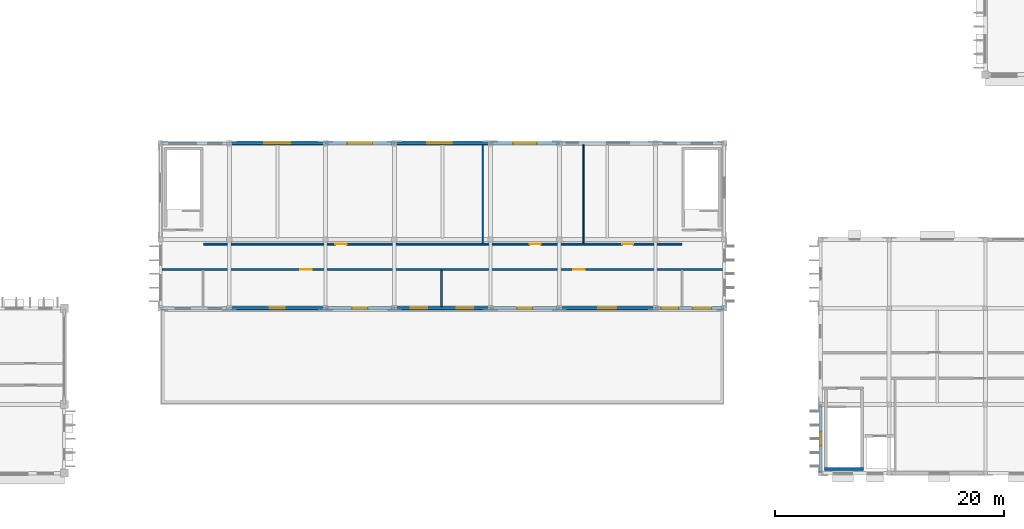
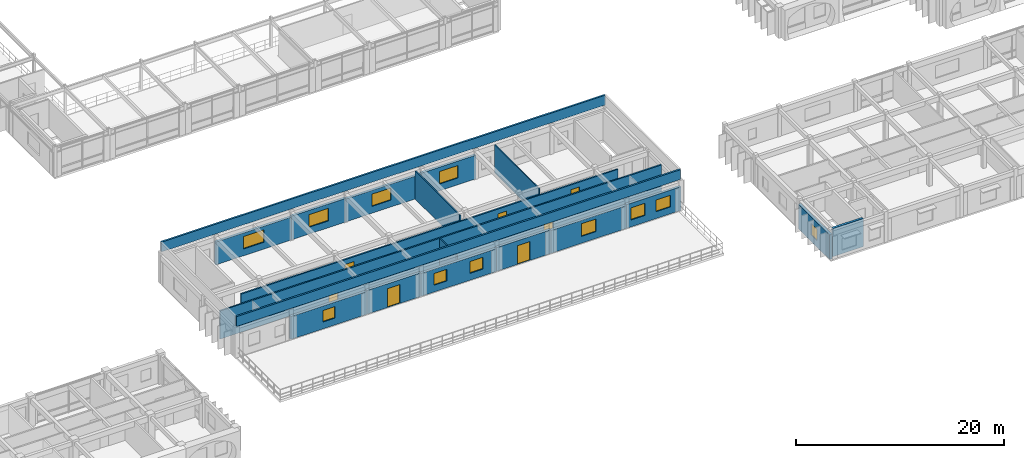
# One storey, part 51 of 88: 19 walls, 11 windows, 7 doors, 18 openings.
"""IFC4 building model written with IfcOpenShell, lengths in metres."""

from ifc_helpers import new_model, si_unit, direction, frame, frame_2d, origin, place, context, subcontext, project, spatial, rectangle, extrude, material, layer, layer_set, type_object, element, fill, save


model = new_model("IFC4")

# Units and contexts
model_context = context("Model", 3, precision=1e-05, world=origin(), true_north=direction((0.0, 1.0)))
body_context = subcontext(model_context, "Body", "Model", "MODEL_VIEW")
ifc_project = project(units=[si_unit("LENGTHUNIT", "METRE"), si_unit("AREAUNIT", "SQUARE_METRE"), si_unit("VOLUMEUNIT", "CUBIC_METRE"), si_unit("PLANEANGLEUNIT", "RADIAN"), si_unit("MASSUNIT", "GRAM", prefix="KILO"), si_unit("THERMODYNAMICTEMPERATUREUNIT", "KELVIN")], contexts=[model_context])

# Site, building, storey
site_placement = place(None, origin())
site = spatial("IfcSite", under=ifc_project, at=site_placement, CompositionType="ELEMENT")
building_placement = place(site_placement, origin())
building = spatial("IfcBuilding", under=site, at=building_placement, Name="Thalorik Housing Commons", CompositionType="ELEMENT")
storey_placement = place(building_placement, frame((0.0, 0.0, 4.5)))
storey = spatial("IfcBuildingStorey", under=building, at=storey_placement, Name="L01", CompositionType="ELEMENT", Elevation=4.5)

# Wall
ifc_material_1 = material(Name="Concrete C40/50", Category="concrete")
ifc_layer_1 = layer(ifc_material_1, 0.25, Name="Concrete C40/50", Category="concrete")
ifc_layer_set_1 = layer_set([ifc_layer_1], Name="Concrete C40/50")
wall_type_1 = type_object("IfcWallType", Name="ARC-WAL-CORE-250", PredefinedType="SHEAR", material=ifc_layer_set_1)
wall_1_placement = place(storey_placement, frame((123.949951171875, 8.77490234375, 0.0), z_axis=(0.0, 0.0, 1.0), x_axis=(1.0, 0.0, 0.0)))
element("IfcWall", 1, at=wall_1_placement, inside=storey, type_object=wall_type_1, Name="L01 Stair ST-N1 Structural Support Wall F", PredefinedType="SHEAR", context=body_context, shape_type="SweptSolid", body=[
    extrude(rectangle(XDim=3.400146484375, YDim=0.25, at=frame_2d((1.7001953125, 0.0))), origin(), (0.0, 0.0, 1.0), 3.300048828125),
])

# Wall, openings, doors
ifc_material_2 = material(Name="Masonry fire-rated corridor wall", Category="masonry")
ifc_layer_2 = layer(ifc_material_2, 0.1650390625, Name="Masonry fire-rated corridor wall", Category="masonry")
ifc_layer_set_2 = layer_set([ifc_layer_2], Name="Masonry fire-rated corridor wall")
wall_type_2 = type_object("IfcWallType", Name="ARC-WAL-CORR-165", PredefinedType="PARTITIONING", material=ifc_layer_set_2)
wall_2_placement = place(storey_placement, frame((66.139404296875, 26.179931640625, 0.0), z_axis=(0.0, 0.0, 1.0), x_axis=(1.0, 0.0, 0.0)))
wall_2 = element("IfcWall", 2, at=wall_2_placement, inside=storey, type_object=wall_type_2, Name="L01 Mezzanine South Corridor Wall", PredefinedType="PARTITIONING", context=body_context, shape_type="SweptSolid", body=[
    extrude(rectangle(XDim=48.921142578125, YDim=0.1650390625, at=frame_2d((24.46044921875, 0.0))), origin(), (0.0, 0.0, 1.0), 3.300048828125),
])
opening_1_placement = place(wall_2_placement, frame((12.050537109375, 0.0, 0.0)))
opening_1 = element("IfcOpeningElement", 3, at=opening_1_placement, cuts=wall_2, Name="Opening ID-2219", PredefinedType="OPENING", context=body_context, shape_type="SweptSolid", body=[
    extrude(rectangle(XDim=1.0, YDim=2.10009765625, at=frame_2d((0.5, 1.050048828125))), frame((0.0, 0.092529296875, 0.0), z_axis=(0.0, -1.0, 0.0), x_axis=(1.0, 0.0, 0.0)), (0.0, 0.0, 1.0), 0.18505859375),
])
opening_2_placement = place(wall_2_placement, frame((35.87060546875, 0.0, 0.0)))
opening_2 = element("IfcOpeningElement", 4, at=opening_2_placement, cuts=wall_2, Name="Opening ID-2220", PredefinedType="OPENING", context=body_context, shape_type="SweptSolid", body=[
    extrude(rectangle(XDim=1.0, YDim=2.10009765625, at=frame_2d((0.5, 1.050048828125))), frame((0.0, 0.092529296875, 0.0), z_axis=(0.0, -1.0, 0.0), x_axis=(1.0, 0.0, 0.0)), (0.0, 0.0, 1.0), 0.18505859375),
])
ifc_material_3 = material(Name="Engineered oak timber", Category="wood")
door_type_1 = type_object("IfcDoorType", Name="ARC-DR-INT-1000", OperationType="NOTDEFINED", PredefinedType="DOOR", material=ifc_material_3)
door_1_placement = place(opening_1_placement, origin())
door_1 = element("IfcDoor", 5, at=door_1_placement, inside=storey, type_object=door_type_1, Name="Retail Mezzanine Door", OperationType="SINGLE_SWING_RIGHT", OverallHeight=2.10009765625, OverallWidth=1.0, PredefinedType="DOOR", context=body_context, shape_type="SweptSolid", body=[
    extrude(rectangle(XDim=1.0, YDim=2.10009765625, at=frame_2d((0.5, 1.050048828125))), frame((0.0, 0.02490234375, 0.0), z_axis=(0.0, -1.0, 0.0), x_axis=(1.0, 0.0, 0.0)), (0.0, 0.0, 1.0), 0.050048828125),
])
fill(opening_1, door_1)
door_2_placement = place(opening_2_placement, origin())
door_2 = element("IfcDoor", 6, at=door_2_placement, inside=storey, type_object=door_type_1, Name="Craft Cooperative Studio Door", OperationType="SINGLE_SWING_LEFT", OverallHeight=2.10009765625, OverallWidth=1.0, PredefinedType="DOOR", context=body_context, shape_type="SweptSolid", body=[
    extrude(rectangle(XDim=1.0, YDim=2.10009765625, at=frame_2d((0.5, 1.050048828125))), frame((0.0, 0.02490234375, 0.0), z_axis=(0.0, -1.0, 0.0), x_axis=(1.0, 0.0, 0.0)), (0.0, 0.0, 1.0), 0.050048828125),
])
fill(opening_2, door_2)

wall_3_placement = place(storey_placement, frame((69.75, 28.39990234375, 0.0), z_axis=(0.0, 0.0, 1.0), x_axis=(1.0, 0.0, 0.0)))
wall_3 = element("IfcWall", 7, at=wall_3_placement, inside=storey, type_object=wall_type_2, Name="L01 Mezzanine North Corridor Wall", PredefinedType="PARTITIONING", context=body_context, shape_type="SweptSolid", body=[
    extrude(rectangle(XDim=41.75, YDim=0.1650390625, at=frame_2d((20.875, 0.0))), origin(), (0.0, 0.0, 1.0), 2.675048828125),
])
opening_3_placement = place(wall_3_placement, frame((11.5068359375, 0.0, 0.0)))
opening_3 = element("IfcOpeningElement", 8, at=opening_3_placement, cuts=wall_3, Name="Opening ID-2223", PredefinedType="OPENING", context=body_context, shape_type="SweptSolid", body=[
    extrude(rectangle(XDim=1.0, YDim=2.10009765625, at=frame_2d((0.5, 1.050048828125))), frame((0.0, 0.092529296875, 0.0), z_axis=(0.0, -1.0, 0.0), x_axis=(1.0, 0.0, 0.0)), (0.0, 0.0, 1.0), 0.18505859375),
])
opening_4_placement = place(wall_3_placement, frame((28.471923828125, 0.0, 0.0)))
opening_4 = element("IfcOpeningElement", 9, at=opening_4_placement, cuts=wall_3, Name="Opening ID-2224", PredefinedType="OPENING", context=body_context, shape_type="SweptSolid", body=[
    extrude(rectangle(XDim=0.949951171875, YDim=2.10009765625, at=frame_2d((0.47509765625, 1.050048828125))), frame((0.0, 0.092529296875, 0.0), z_axis=(0.0, -1.0, 0.0), x_axis=(1.0, 0.0, 0.0)), (0.0, 0.0, 1.0), 0.18505859375),
])
opening_5_placement = place(wall_3_placement, frame((36.5439453125, 0.0, 0.0)))
opening_5 = element("IfcOpeningElement", 10, at=opening_5_placement, cuts=wall_3, Name="Opening ID-2225", PredefinedType="OPENING", context=body_context, shape_type="SweptSolid", body=[
    extrude(rectangle(XDim=0.949951171875, YDim=2.10009765625, at=frame_2d((0.47509765625, 1.050048828125))), frame((0.0, 0.092529296875, 0.0), z_axis=(0.0, -1.0, 0.0), x_axis=(1.0, 0.0, 0.0)), (0.0, 0.0, 1.0), 0.18505859375),
])
door_3_placement = place(opening_3_placement, origin())
door_3 = element("IfcDoor", 11, at=door_3_placement, inside=storey, type_object=door_type_1, Name="Tailoring Studio Door", OperationType="SINGLE_SWING_RIGHT", OverallHeight=2.10009765625, OverallWidth=1.0, PredefinedType="DOOR", context=body_context, shape_type="SweptSolid", body=[
    extrude(rectangle(XDim=1.0, YDim=2.10009765625, at=frame_2d((0.5, 1.050048828125))), frame((0.0, 0.02490234375, 0.0), z_axis=(0.0, -1.0, 0.0), x_axis=(1.0, 0.0, 0.0)), (0.0, 0.0, 1.0), 0.050048828125),
])
fill(opening_3, door_3)
door_type_2 = type_object("IfcDoorType", Name="ARC-DR-INT-950", OperationType="NOTDEFINED", PredefinedType="DOOR", material=ifc_material_3)
door_4_placement = place(opening_4_placement, origin())
door_4 = element("IfcDoor", 12, at=door_4_placement, inside=storey, type_object=door_type_2, Name="L01 Public Bathroom Door", OperationType="SINGLE_SWING_LEFT", OverallHeight=2.10009765625, OverallWidth=0.949951171875, PredefinedType="DOOR", context=body_context, shape_type="SweptSolid", body=[
    extrude(rectangle(XDim=0.949951171875, YDim=2.10009765625, at=frame_2d((0.47509765625, 1.050048828125))), frame((0.0, 0.02490234375, 0.0), z_axis=(0.0, -1.0, 0.0), x_axis=(1.0, 0.0, 0.0)), (0.0, 0.0, 1.0), 0.050048828125),
])
fill(opening_4, door_4)
door_5_placement = place(opening_5_placement, origin())
door_5 = element("IfcDoor", 13, at=door_5_placement, inside=storey, type_object=door_type_2, Name="L01 Accessible Bathroom Door", OperationType="SINGLE_SWING_RIGHT", OverallHeight=2.10009765625, OverallWidth=0.949951171875, PredefinedType="DOOR", context=body_context, shape_type="SweptSolid", body=[
    extrude(rectangle(XDim=0.949951171875, YDim=2.10009765625, at=frame_2d((0.47509765625, 1.050048828125))), frame((0.0, 0.02490234375, 0.0), z_axis=(0.0, -1.0, 0.0), x_axis=(1.0, 0.0, 0.0)), (0.0, 0.0, 1.0), 0.050048828125),
])
fill(opening_5, door_5)

# Wall, opening, window
ifc_material_4 = material(Name="White precast concrete C40/50", Category="concrete")
ifc_layer_3 = layer(ifc_material_4, 0.27490234375, Name="White precast concrete C40/50", Category="concrete")
ifc_layer_set_3 = layer_set([ifc_layer_3], Name="White precast concrete C40/50")
wall_type_3 = type_object("IfcWallType", Name="ARC-WAL-EXT-275", PredefinedType="STANDARD", material=ifc_layer_set_3)
wall_4_placement = place(storey_placement, frame((72.0, 22.800048828125, 0.0), z_axis=(0.0, 0.0, 1.0), x_axis=(1.0, 0.0, 0.0)))
wall_4 = element("IfcWall", 14, at=wall_4_placement, inside=storey, type_object=wall_type_3, Name="L01 Exterior Wall WAL-SHOP-L01-1380", PredefinedType="STANDARD", context=body_context, shape_type="SweptSolid", body=[
    extrude(rectangle(XDim=8.39990234375, YDim=0.27490234375, at=frame_2d((4.199951171875, 0.0))), origin(), (0.0, 0.0, 1.0), 2.675048828125),
])
opening_6_placement = place(wall_4_placement, frame((3.5400390625, 0.0, 0.800048828125)))
opening_6 = element("IfcOpeningElement", 15, at=opening_6_placement, cuts=wall_4, Name="Opening W-48", PredefinedType="OPENING", context=body_context, shape_type="SweptSolid", body=[
    extrude(rectangle(XDim=1.320068359375, YDim=1.35009765625, at=frame_2d((0.66015625, 0.675048828125))), frame((0.0, 0.1474609375, 0.0), z_axis=(0.0, -1.0, 0.0), x_axis=(1.0, 0.0, 0.0)), (0.0, 0.0, 1.0), 0.294921875),
])
ifc_material_5 = material(Name="Anodised aluminium and solar-control low-E glass", Category="aluminium")
window_type_1 = type_object("IfcWindowType", Name="ARC-WIN-48", PartitioningType="SINGLE_PANEL", PredefinedType="WINDOW", material=ifc_material_5)
window_1_placement = place(opening_6_placement, origin())
window_1 = element("IfcWindow", 16, at=window_1_placement, inside=storey, type_object=window_type_1, Name="L01 Facade Window 2415", OverallHeight=1.35009765625, OverallWidth=1.320068359375, PartitioningType="SINGLE_PANEL", PredefinedType="WINDOW", context=body_context, shape_type="SweptSolid", body=[
    extrude(rectangle(XDim=1.320068359375, YDim=1.35009765625, at=frame_2d((0.66015625, 0.675048828125))), frame((0.0, 0.030029296875, 0.0), z_axis=(0.0, -1.0, 0.0), x_axis=(1.0, 0.0, 0.0)), (0.0, 0.0, 1.0), 0.06005859375),
])
fill(opening_6, window_1)

# Wall, opening, door
wall_5_placement = place(storey_placement, frame((80.39990234375, 22.800048828125, 0.0), z_axis=(0.0, 0.0, 1.0), x_axis=(1.0, 0.0, 0.0)))
wall_5 = element("IfcWall", 17, at=wall_5_placement, inside=storey, type_object=wall_type_3, Name="L01 Exterior Wall WAL-SHOP-L01-1381", PredefinedType="STANDARD", context=body_context, shape_type="SweptSolid", body=[
    extrude(rectangle(XDim=6.0, YDim=0.27490234375, at=frame_2d((3.0, 0.0))), origin(), (0.0, 0.0, 1.0), 2.77490234375),
])
opening_7_placement = place(wall_5_placement, frame((2.324951171875, 0.0, 0.0)))
opening_7 = element("IfcOpeningElement", 18, at=opening_7_placement, cuts=wall_5, Name="Opening ED-0453", PredefinedType="OPENING", context=body_context, shape_type="SweptSolid", body=[
    extrude(rectangle(XDim=1.35009765625, YDim=2.199951171875, at=frame_2d((0.675048828125, 1.10009765625))), frame((0.0, 0.1474609375, 0.0), z_axis=(0.0, -1.0, 0.0), x_axis=(1.0, 0.0, 0.0)), (0.0, 0.0, 1.0), 0.294921875),
])
ifc_material_6 = material(Name="Anodised aluminium and laminated safety glass", Category="aluminium")
door_type_3 = type_object("IfcDoorType", Name="ARC-DR-TERR-1350", OperationType="NOTDEFINED", PredefinedType="DOOR", material=ifc_material_6)
door_6_placement = place(opening_7_placement, frame((1.35009765625, 0.0, 0.0), z_axis=(0.0, 0.0, 1.0), x_axis=(-1.0, 0.0, 0.0)))
door_6 = element("IfcDoor", 19, at=door_6_placement, inside=storey, type_object=door_type_3, Name="L01 Podium Roof Garden Door 2", OperationType="SINGLE_SWING_RIGHT", OverallHeight=2.199951171875, OverallWidth=1.35009765625, PredefinedType="DOOR", context=body_context, shape_type="SweptSolid", body=[
    extrude(rectangle(XDim=1.35009765625, YDim=2.199951171875, at=frame_2d((0.675048828125, 1.10009765625))), frame((0.0, 0.02490234375, 0.0), z_axis=(0.0, -1.0, 0.0), x_axis=(1.0, 0.0, 0.0)), (0.0, 0.0, 1.0), 0.050048828125),
])
fill(opening_7, door_6)

# Wall, openings, windows
wall_6_placement = place(storey_placement, frame((86.39990234375, 22.800048828125, 0.0), z_axis=(0.0, 0.0, 1.0), x_axis=(1.0, 0.0, 0.0)))
wall_6 = element("IfcWall", 20, at=wall_6_placement, inside=storey, type_object=wall_type_3, Name="L01 Exterior Wall WAL-SHOP-L01-1382", PredefinedType="STANDARD", context=body_context, shape_type="SweptSolid", body=[
    extrude(rectangle(XDim=8.400146484375, YDim=0.27490234375, at=frame_2d((4.2001953125, 0.0))), origin(), (0.0, 0.0, 1.0), 2.675048828125),
])
opening_8_placement = place(wall_6_placement, frame((1.445068359375, 0.0, 0.800048828125)))
opening_8 = element("IfcOpeningElement", 21, at=opening_8_placement, cuts=wall_6, Name="Opening W-50", PredefinedType="OPENING", context=body_context, shape_type="SweptSolid", body=[
    extrude(rectangle(XDim=1.419921875, YDim=1.3798828125, at=frame_2d((0.7099609375, 0.68994140625))), frame((0.0, 0.1474609375, 0.0), z_axis=(0.0, -1.0, 0.0), x_axis=(1.0, 0.0, 0.0)), (0.0, 0.0, 1.0), 0.294921875),
])
opening_9_placement = place(wall_6_placement, frame((5.455078125, 0.0, 0.800048828125)))
opening_9 = element("IfcOpeningElement", 22, at=opening_9_placement, cuts=wall_6, Name="Opening W-50", PredefinedType="OPENING", context=body_context, shape_type="SweptSolid", body=[
    extrude(rectangle(XDim=1.419921875, YDim=1.3798828125, at=frame_2d((0.7099609375, 0.68994140625))), frame((0.0, 0.1474609375, 0.0), z_axis=(0.0, -1.0, 0.0), x_axis=(1.0, 0.0, 0.0)), (0.0, 0.0, 1.0), 0.294921875),
])
window_type_2 = type_object("IfcWindowType", Name="ARC-WIN-50", PartitioningType="SINGLE_PANEL", PredefinedType="WINDOW", material=ifc_material_5)
window_2_placement = place(opening_8_placement, origin())
window_2 = element("IfcWindow", 23, at=window_2_placement, inside=storey, type_object=window_type_2, Name="L01 Facade Window 2416", OverallHeight=1.3798828125, OverallWidth=1.419921875, PartitioningType="SINGLE_PANEL", PredefinedType="WINDOW", context=body_context, shape_type="SweptSolid", body=[
    extrude(rectangle(XDim=1.419921875, YDim=1.3798828125, at=frame_2d((0.7099609375, 0.68994140625))), frame((0.0, 0.030029296875, 0.0), z_axis=(0.0, -1.0, 0.0), x_axis=(1.0, 0.0, 0.0)), (0.0, 0.0, 1.0), 0.06005859375),
])
fill(opening_8, window_2)
window_3_placement = place(opening_9_placement, origin())
window_3 = element("IfcWindow", 24, at=window_3_placement, inside=storey, type_object=window_type_2, Name="L01 Facade Window 2417", OverallHeight=1.3798828125, OverallWidth=1.419921875, PartitioningType="SINGLE_PANEL", PredefinedType="WINDOW", context=body_context, shape_type="SweptSolid", body=[
    extrude(rectangle(XDim=1.419921875, YDim=1.3798828125, at=frame_2d((0.7099609375, 0.68994140625))), frame((0.0, 0.030029296875, 0.0), z_axis=(0.0, -1.0, 0.0), x_axis=(1.0, 0.0, 0.0)), (0.0, 0.0, 1.0), 0.06005859375),
])
fill(opening_9, window_3)

# Wall, opening, door
wall_7_placement = place(storey_placement, frame((94.800048828125, 22.800048828125, 0.0), z_axis=(0.0, 0.0, 1.0), x_axis=(1.0, 0.0, 0.0)))
wall_7 = element("IfcWall", 25, at=wall_7_placement, inside=storey, type_object=wall_type_3, Name="L01 Exterior Wall WAL-SHOP-L01-1383", PredefinedType="STANDARD", context=body_context, shape_type="SweptSolid", body=[
    extrude(rectangle(XDim=6.0, YDim=0.27490234375, at=frame_2d((3.0, 0.0))), origin(), (0.0, 0.0, 1.0), 2.77490234375),
])
opening_10_placement = place(wall_7_placement, frame((2.324951171875, 0.0, 0.0)))
opening_10 = element("IfcOpeningElement", 26, at=opening_10_placement, cuts=wall_7, Name="Opening ED-0454", PredefinedType="OPENING", context=body_context, shape_type="SweptSolid", body=[
    extrude(rectangle(XDim=1.35009765625, YDim=2.199951171875, at=frame_2d((0.675048828125, 1.10009765625))), frame((0.0, 0.1474609375, 0.0), z_axis=(0.0, -1.0, 0.0), x_axis=(1.0, 0.0, 0.0)), (0.0, 0.0, 1.0), 0.294921875),
])
door_7_placement = place(opening_10_placement, frame((1.35009765625, 0.0, 0.0), z_axis=(0.0, 0.0, 1.0), x_axis=(-1.0, 0.0, 0.0)))
door_7 = element("IfcDoor", 27, at=door_7_placement, inside=storey, type_object=door_type_3, Name="L01 Podium Roof Garden Door 4", OperationType="SINGLE_SWING_LEFT", OverallHeight=2.199951171875, OverallWidth=1.35009765625, PredefinedType="DOOR", context=body_context, shape_type="SweptSolid", body=[
    extrude(rectangle(XDim=1.35009765625, YDim=2.199951171875, at=frame_2d((0.675048828125, 1.10009765625))), frame((0.0, 0.02490234375, 0.0), z_axis=(0.0, -1.0, 0.0), x_axis=(1.0, 0.0, 0.0)), (0.0, 0.0, 1.0), 0.050048828125),
])
fill(opening_10, door_7)

# Wall, opening, window
wall_8_placement = place(storey_placement, frame((100.800048828125, 22.800048828125, 0.0), z_axis=(0.0, 0.0, 1.0), x_axis=(1.0, 0.0, 0.0)))
wall_8 = element("IfcWall", 28, at=wall_8_placement, inside=storey, type_object=wall_type_3, Name="L01 Exterior Wall WAL-SHOP-L01-1384", PredefinedType="STANDARD", context=body_context, shape_type="SweptSolid", body=[
    extrude(rectangle(XDim=8.39990234375, YDim=0.27490234375, at=frame_2d((4.199951171875, 0.0))), origin(), (0.0, 0.0, 1.0), 2.675048828125),
])
opening_11_placement = place(wall_8_placement, frame((3.409912109375, 0.0, 0.800048828125)))
opening_11 = element("IfcOpeningElement", 29, at=opening_11_placement, cuts=wall_8, Name="Opening W-53", PredefinedType="OPENING", context=body_context, shape_type="SweptSolid", body=[
    extrude(rectangle(XDim=1.580078125, YDim=1.47998046875, at=frame_2d((0.7900390625, 0.739990234375))), frame((0.0, 0.1474609375, 0.0), z_axis=(0.0, -1.0, 0.0), x_axis=(1.0, 0.0, 0.0)), (0.0, 0.0, 1.0), 0.294921875),
])
window_type_3 = type_object("IfcWindowType", Name="ARC-WIN-53", PartitioningType="SINGLE_PANEL", PredefinedType="WINDOW", material=ifc_material_5)
window_4_placement = place(opening_11_placement, origin())
window_4 = element("IfcWindow", 30, at=window_4_placement, inside=storey, type_object=window_type_3, Name="L01 Facade Window 2418", OverallHeight=1.47998046875, OverallWidth=1.580078125, PartitioningType="SINGLE_PANEL", PredefinedType="WINDOW", context=body_context, shape_type="SweptSolid", body=[
    extrude(rectangle(XDim=1.580078125, YDim=1.47998046875, at=frame_2d((0.7900390625, 0.739990234375))), frame((0.0, 0.030029296875, 0.0), z_axis=(0.0, -1.0, 0.0), x_axis=(1.0, 0.0, 0.0)), (0.0, 0.0, 1.0), 0.06005859375),
])
fill(opening_11, window_4)

# Wall, openings, windows
wall_9_placement = place(storey_placement, frame((109.199951171875, 22.800048828125, 0.0), z_axis=(0.0, 0.0, 1.0), x_axis=(1.0, 0.0, 0.0)))
wall_9 = element("IfcWall", 31, at=wall_9_placement, inside=storey, type_object=wall_type_3, Name="L01 Exterior Wall WAL-SHOP-L01-1385", PredefinedType="STANDARD", context=body_context, shape_type="SweptSolid", body=[
    extrude(rectangle(XDim=6.0, YDim=0.27490234375, at=frame_2d((3.0, 0.0))), origin(), (0.0, 0.0, 1.0), 2.77490234375),
])
opening_12_placement = place(wall_9_placement, frame((0.4951171875, 0.0, 0.800048828125)))
opening_12 = element("IfcOpeningElement", 32, at=opening_12_placement, cuts=wall_9, Name="Opening W-52", PredefinedType="OPENING", context=body_context, shape_type="SweptSolid", body=[
    extrude(rectangle(XDim=1.52001953125, YDim=1.419921875, at=frame_2d((0.760009765625, 0.7099609375))), frame((0.0, 0.1474609375, 0.0), z_axis=(0.0, -1.0, 0.0), x_axis=(1.0, 0.0, 0.0)), (0.0, 0.0, 1.0), 0.294921875),
])
opening_13_placement = place(wall_9_placement, frame((3.2548828125, 0.0, 0.800048828125)))
opening_13 = element("IfcOpeningElement", 33, at=opening_13_placement, cuts=wall_9, Name="Opening W-54", PredefinedType="OPENING", context=body_context, shape_type="SweptSolid", body=[
    extrude(rectangle(XDim=1.6201171875, YDim=1.3798828125, at=frame_2d((0.81005859375, 0.68994140625))), frame((0.0, 0.1474609375, 0.0), z_axis=(0.0, -1.0, 0.0), x_axis=(1.0, 0.0, 0.0)), (0.0, 0.0, 1.0), 0.294921875),
])
window_type_4 = type_object("IfcWindowType", Name="ARC-WIN-52", PartitioningType="SINGLE_PANEL", PredefinedType="WINDOW", material=ifc_material_5)
window_5_placement = place(opening_12_placement, origin())
window_5 = element("IfcWindow", 34, at=window_5_placement, inside=storey, type_object=window_type_4, Name="L01 Facade Window 2419", OverallHeight=1.419921875, OverallWidth=1.52001953125, PartitioningType="SINGLE_PANEL", PredefinedType="WINDOW", context=body_context, shape_type="SweptSolid", body=[
    extrude(rectangle(XDim=1.52001953125, YDim=1.419921875, at=frame_2d((0.760009765625, 0.7099609375))), frame((0.0, 0.030029296875, 0.0), z_axis=(0.0, -1.0, 0.0), x_axis=(1.0, 0.0, 0.0)), (0.0, 0.0, 1.0), 0.06005859375),
])
fill(opening_12, window_5)
window_type_5 = type_object("IfcWindowType", Name="ARC-WIN-54", PartitioningType="DOUBLE_PANEL_VERTICAL", PredefinedType="WINDOW", material=ifc_material_5)
window_6_placement = place(opening_13_placement, origin())
window_6 = element("IfcWindow", 35, at=window_6_placement, inside=storey, type_object=window_type_5, Name="L01 Facade Window 2420", OverallHeight=1.3798828125, OverallWidth=1.6201171875, PartitioningType="DOUBLE_PANEL_VERTICAL", PredefinedType="WINDOW", context=body_context, shape_type="SweptSolid", body=[
    extrude(rectangle(XDim=1.6201171875, YDim=1.3798828125, at=frame_2d((0.81005859375, 0.68994140625))), frame((0.0, 0.030029296875, 0.0), z_axis=(0.0, -1.0, 0.0), x_axis=(1.0, 0.0, 0.0)), (0.0, 0.0, 1.0), 0.06005859375),
])
fill(opening_13, window_6)

# Wall, opening, window
wall_10_placement = place(storey_placement, frame((100.800048828125, 37.199951171875, 0.0), z_axis=(0.0, 0.0, 1.0), x_axis=(-1.0, 0.0, 0.0)))
wall_10 = element("IfcWall", 36, at=wall_10_placement, inside=storey, type_object=wall_type_3, Name="L01 Exterior Wall WAL-SHOP-L01-1390", PredefinedType="STANDARD", context=body_context, shape_type="SweptSolid", body=[
    extrude(rectangle(XDim=6.0, YDim=0.27490234375, at=frame_2d((3.0, 0.0))), origin(), (0.0, 0.0, 1.0), 2.77490234375),
])
opening_14_placement = place(wall_10_placement, frame((1.97998046875, 0.0, 0.800048828125)))
opening_14 = element("IfcOpeningElement", 37, at=opening_14_placement, cuts=wall_10, Name="Opening W-62", PredefinedType="OPENING", context=body_context, shape_type="SweptSolid", body=[
    extrude(rectangle(XDim=2.0400390625, YDim=1.4599609375, at=frame_2d((1.02001953125, 0.72998046875))), frame((0.0, 0.1474609375, 0.0), z_axis=(0.0, -1.0, 0.0), x_axis=(1.0, 0.0, 0.0)), (0.0, 0.0, 1.0), 0.294921875),
])
window_type_6 = type_object("IfcWindowType", Name="ARC-WIN-62", PartitioningType="DOUBLE_PANEL_VERTICAL", PredefinedType="WINDOW", material=ifc_material_5)
window_7_placement = place(opening_14_placement, origin())
window_7 = element("IfcWindow", 38, at=window_7_placement, inside=storey, type_object=window_type_6, Name="L01 Facade Window 2428", OverallHeight=1.4599609375, OverallWidth=2.0400390625, PartitioningType="DOUBLE_PANEL_VERTICAL", PredefinedType="WINDOW", context=body_context, shape_type="SweptSolid", body=[
    extrude(rectangle(XDim=2.0400390625, YDim=1.4599609375, at=frame_2d((1.02001953125, 0.72998046875))), frame((0.0, 0.030029296875, 0.0), z_axis=(0.0, -1.0, 0.0), x_axis=(1.0, 0.0, 0.0)), (0.0, 0.0, 1.0), 0.06005859375),
])
fill(opening_14, window_7)

wall_11_placement = place(storey_placement, frame((94.800048828125, 37.199951171875, 0.0), z_axis=(0.0, 0.0, 1.0), x_axis=(-1.0, 0.0, 0.0)))
wall_11 = element("IfcWall", 39, at=wall_11_placement, inside=storey, type_object=wall_type_3, Name="L01 Exterior Wall WAL-SHOP-L01-1391", PredefinedType="STANDARD", context=body_context, shape_type="SweptSolid", body=[
    extrude(rectangle(XDim=8.400146484375, YDim=0.27490234375, at=frame_2d((4.2001953125, 0.0))), origin(), (0.0, 0.0, 1.0), 2.675048828125),
])
opening_15_placement = place(wall_11_placement, frame((3.385009765625, 0.0, 0.800048828125)))
opening_15 = element("IfcOpeningElement", 40, at=opening_15_placement, cuts=wall_11, Name="Opening W-64", PredefinedType="OPENING", context=body_context, shape_type="SweptSolid", body=[
    extrude(rectangle(XDim=2.1201171875, YDim=1.43994140625, at=frame_2d((1.06005859375, 0.719970703125))), frame((0.0, 0.1474609375, 0.0), z_axis=(0.0, -1.0, 0.0), x_axis=(1.0, 0.0, 0.0)), (0.0, 0.0, 1.0), 0.294921875),
])
window_type_7 = type_object("IfcWindowType", Name="ARC-WIN-64", PartitioningType="DOUBLE_PANEL_VERTICAL", PredefinedType="WINDOW", material=ifc_material_5)
window_8_placement = place(opening_15_placement, origin())
window_8 = element("IfcWindow", 41, at=window_8_placement, inside=storey, type_object=window_type_7, Name="L01 Facade Window 2429", OverallHeight=1.43994140625, OverallWidth=2.1201171875, PartitioningType="DOUBLE_PANEL_VERTICAL", PredefinedType="WINDOW", context=body_context, shape_type="SweptSolid", body=[
    extrude(rectangle(XDim=2.1201171875, YDim=1.43994140625, at=frame_2d((1.06005859375, 0.719970703125))), frame((0.0, 0.030029296875, 0.0), z_axis=(0.0, -1.0, 0.0), x_axis=(1.0, 0.0, 0.0)), (0.0, 0.0, 1.0), 0.06005859375),
])
fill(opening_15, window_8)

wall_12_placement = place(storey_placement, frame((86.39990234375, 37.199951171875, 0.0), z_axis=(0.0, 0.0, 1.0), x_axis=(-1.0, 0.0, 0.0)))
wall_12 = element("IfcWall", 42, at=wall_12_placement, inside=storey, type_object=wall_type_3, Name="L01 Exterior Wall WAL-SHOP-L01-1392", PredefinedType="STANDARD", context=body_context, shape_type="SweptSolid", body=[
    extrude(rectangle(XDim=6.0, YDim=0.27490234375, at=frame_2d((3.0, 0.0))), origin(), (0.0, 0.0, 1.0), 2.77490234375),
])
opening_16_placement = place(wall_12_placement, frame((1.909912109375, 0.0, 0.800048828125)))
opening_16 = element("IfcOpeningElement", 43, at=opening_16_placement, cuts=wall_12, Name="Opening W-65", PredefinedType="OPENING", context=body_context, shape_type="SweptSolid", body=[
    extrude(rectangle(XDim=2.179931640625, YDim=1.47998046875, at=frame_2d((1.08984375, 0.739990234375))), frame((0.0, 0.1474609375, 0.0), z_axis=(0.0, -1.0, 0.0), x_axis=(1.0, 0.0, 0.0)), (0.0, 0.0, 1.0), 0.294921875),
])
window_type_8 = type_object("IfcWindowType", Name="ARC-WIN-65", PartitioningType="DOUBLE_PANEL_VERTICAL", PredefinedType="WINDOW", material=ifc_material_5)
window_9_placement = place(opening_16_placement, origin())
window_9 = element("IfcWindow", 44, at=window_9_placement, inside=storey, type_object=window_type_8, Name="L01 Facade Window 2430", OverallHeight=1.47998046875, OverallWidth=2.179931640625, PartitioningType="DOUBLE_PANEL_VERTICAL", PredefinedType="WINDOW", context=body_context, shape_type="SweptSolid", body=[
    extrude(rectangle(XDim=2.179931640625, YDim=1.47998046875, at=frame_2d((1.08984375, 0.739990234375))), frame((0.0, 0.030029296875, 0.0), z_axis=(0.0, -1.0, 0.0), x_axis=(1.0, 0.0, 0.0)), (0.0, 0.0, 1.0), 0.06005859375),
])
fill(opening_16, window_9)

wall_13_placement = place(storey_placement, frame((80.39990234375, 37.199951171875, 0.0), z_axis=(0.0, 0.0, 1.0), x_axis=(-1.0, 0.0, 0.0)))
wall_13 = element("IfcWall", 45, at=wall_13_placement, inside=storey, type_object=wall_type_3, Name="L01 Exterior Wall WAL-SHOP-L01-1393", PredefinedType="STANDARD", context=body_context, shape_type="SweptSolid", body=[
    extrude(rectangle(XDim=8.39990234375, YDim=0.27490234375, at=frame_2d((4.199951171875, 0.0))), origin(), (0.0, 0.0, 1.0), 2.675048828125),
])
opening_17_placement = place(wall_13_placement, frame((3.06005859375, 0.0, 0.800048828125)))
opening_17 = element("IfcOpeningElement", 46, at=opening_17_placement, cuts=wall_13, Name="Opening W-67", PredefinedType="OPENING", context=body_context, shape_type="SweptSolid", body=[
    extrude(rectangle(XDim=2.280029296875, YDim=1.4599609375, at=frame_2d((1.14013671875, 0.72998046875))), frame((0.0, 0.1474609375, 0.0), z_axis=(0.0, -1.0, 0.0), x_axis=(1.0, 0.0, 0.0)), (0.0, 0.0, 1.0), 0.294921875),
])
window_type_9 = type_object("IfcWindowType", Name="ARC-WIN-67", PartitioningType="DOUBLE_PANEL_VERTICAL", PredefinedType="WINDOW", material=ifc_material_5)
window_10_placement = place(opening_17_placement, origin())
window_10 = element("IfcWindow", 47, at=window_10_placement, inside=storey, type_object=window_type_9, Name="L01 Facade Window 2431", OverallHeight=1.4599609375, OverallWidth=2.280029296875, PartitioningType="DOUBLE_PANEL_VERTICAL", PredefinedType="WINDOW", context=body_context, shape_type="SweptSolid", body=[
    extrude(rectangle(XDim=2.280029296875, YDim=1.4599609375, at=frame_2d((1.14013671875, 0.72998046875))), frame((0.0, 0.030029296875, 0.0), z_axis=(0.0, -1.0, 0.0), x_axis=(1.0, 0.0, 0.0)), (0.0, 0.0, 1.0), 0.06005859375),
])
fill(opening_17, window_10)

ifc_layer_4 = layer(ifc_material_4, 0.2900390625, Name="White precast concrete C40/50", Category="concrete")
ifc_layer_set_4 = layer_set([ifc_layer_4], Name="White precast concrete C40/50")
wall_type_4 = type_object("IfcWallType", Name="ARC-WAL-EXT-290", PredefinedType="STANDARD", material=ifc_layer_set_4)
wall_14_placement = place(storey_placement, frame((123.60009765625, 14.39990234375, 0.0), z_axis=(0.0, 0.0, 1.0), x_axis=(0.0, -1.0, 0.0)))
wall_14 = element("IfcWall", 48, at=wall_14_placement, inside=storey, type_object=wall_type_4, Name="L01 Exterior Wall WAL-NURS-L01-1358", PredefinedType="STANDARD", context=body_context, shape_type="SweptSolid", body=[
    extrude(rectangle(XDim=6.0, YDim=0.2900390625, at=frame_2d((3.0, 0.0))), origin(), (0.0, 0.0, 1.0), 2.875),
])
opening_18_placement = place(wall_14_placement, frame((2.39990234375, 0.0, 0.719970703125)))
opening_18 = element("IfcOpeningElement", 49, at=opening_18_placement, cuts=wall_14, Name="Opening W-04", PredefinedType="OPENING", context=body_context, shape_type="SweptSolid", body=[
    extrude(rectangle(XDim=1.199951171875, YDim=1.35009765625, at=frame_2d((0.60009765625, 0.675048828125))), frame((0.0, 0.155029296875, 0.0), z_axis=(0.0, -1.0, 0.0), x_axis=(1.0, 0.0, 0.0)), (0.0, 0.0, 1.0), 0.31005859375),
])
window_type_10 = type_object("IfcWindowType", Name="ARC-WIN-04", PartitioningType="SINGLE_PANEL", PredefinedType="WINDOW", material=ifc_material_5)
window_11_placement = place(opening_18_placement, origin())
window_11 = element("IfcWindow", 50, at=window_11_placement, inside=storey, type_object=window_type_10, Name="L01 Facade Window 2399", OverallHeight=1.35009765625, OverallWidth=1.199951171875, PartitioningType="SINGLE_PANEL", PredefinedType="WINDOW", context=body_context, shape_type="SweptSolid", body=[
    extrude(rectangle(XDim=1.199951171875, YDim=1.35009765625, at=frame_2d((0.60009765625, 0.675048828125))), frame((0.0, 0.030029296875, 0.0), z_axis=(0.0, -1.0, 0.0), x_axis=(1.0, 0.0, 0.0)), (0.0, 0.0, 1.0), 0.06005859375),
])
fill(opening_18, window_11)

# Walls
ifc_layer_5 = layer(ifc_material_4, 0.195068359375, Name="White precast concrete C40/50", Category="concrete")
ifc_layer_set_5 = layer_set([ifc_layer_5], Name="White precast concrete C40/50")
wall_type_5 = type_object("IfcWallType", Name="ARC-WAL-PAR-195", PredefinedType="PARAPET", material=ifc_layer_set_5)
for number, where, z_axis, x_axis, name in (
    (51, (66.0, 22.800048828125, 3.60009765625), (0.0, 0.0, 1.0), (1.0, 0.0, 0.0), "L01 Street Shops Roof Parapet 1"),
    (52, (115.199951171875, 37.199951171875, 3.60009765625), (0.0, 0.0, 1.0), (-1.0, 0.0, 0.0), "L01 Street Shops Roof Parapet 3"),
):
    element("IfcWall", number, at=place(storey_placement, frame(where, z_axis=z_axis, x_axis=x_axis)), inside=storey, type_object=wall_type_5, Name=name, PredefinedType="PARAPET", context=body_context, shape_type="SweptSolid", body=[
        extrude(rectangle(XDim=49.199951171875, YDim=0.195068359375, at=frame_2d((24.60009765625, 0.0))), origin(), (0.0, 0.0, 1.0), 1.14990234375),
    ])
ifc_material_7 = material(Name="Gypsum moisture-resistant partition", Category="masonry")
ifc_layer_6 = layer(ifc_material_7, 0.114990234375, Name="Gypsum moisture-resistant partition", Category="masonry")
ifc_layer_set_6 = layer_set([ifc_layer_6], Name="Gypsum moisture-resistant partition")
wall_type_6 = type_object("IfcWallType", Name="ARC-WAL-PART-115", PredefinedType="PARTITIONING", material=ifc_layer_set_6)
wall_15_placement = place(storey_placement, frame((102.919921875, 28.484619140625, 0.0), z_axis=(0.0, 0.0, 1.0), x_axis=(0.0, 1.0, 0.0)))
element("IfcWall", 53, at=wall_15_placement, inside=storey, type_object=wall_type_6, Name="L01 Shops WC Divider Wall", PredefinedType="PARTITIONING", context=body_context, shape_type="SweptSolid", body=[
    extrude(rectangle(XDim=8.575927734375, YDim=0.114990234375, at=frame_2d((4.2880859375, 0.0))), origin(), (0.0, 0.0, 1.0), 3.300048828125),
])
ifc_material_8 = material(Name="Gypsum acoustic stud partition", Category="masonry")
ifc_layer_7 = layer(ifc_material_8, 0.125, Name="Gypsum acoustic stud partition", Category="masonry")
ifc_layer_set_7 = layer_set([ifc_layer_7], Name="Gypsum acoustic stud partition")
wall_type_7 = type_object("IfcWallType", Name="ARC-WAL-PART-125", PredefinedType="PARTITIONING", material=ifc_layer_set_7)
wall_16_placement = place(storey_placement, frame((94.1201171875, 28.484619140625, 0.0), z_axis=(0.0, 0.0, 1.0), x_axis=(0.0, 1.0, 0.0)))
element("IfcWall", 54, at=wall_16_placement, inside=storey, type_object=wall_type_7, Name="L01 Shops WC West Divider", PredefinedType="PARTITIONING", context=body_context, shape_type="SweptSolid", body=[
    extrude(rectangle(XDim=8.575927734375, YDim=0.125, at=frame_2d((4.2880859375, 0.0))), origin(), (0.0, 0.0, 1.0), 3.300048828125),
])
ifc_material_9 = material(Name="Ceramic masonry partition wall", Category="masonry")
ifc_layer_8 = layer(ifc_material_9, 0.139892578125, Name="Ceramic masonry partition wall", Category="masonry")
ifc_layer_set_8 = layer_set([ifc_layer_8], Name="Ceramic masonry partition wall")
wall_type_8 = type_object("IfcWallType", Name="ARC-WAL-PART-140", PredefinedType="PARTITIONING", material=ifc_layer_set_8)
wall_17_placement = place(storey_placement, frame((90.52001953125, 22.939453125, 0.0), z_axis=(0.0, 0.0, 1.0), x_axis=(0.0, 1.0, 0.0)))
element("IfcWall", 55, at=wall_17_placement, inside=storey, type_object=wall_type_8, Name="L01 Mezzanine Room Divider", PredefinedType="PARTITIONING", context=body_context, shape_type="SweptSolid", body=[
    extrude(rectangle(XDim=3.156005859375, YDim=0.139892578125, at=frame_2d((1.578125, 0.0))), origin(), (0.0, 0.0, 1.0), 3.300048828125),
])

save(model, "model.ifc")
